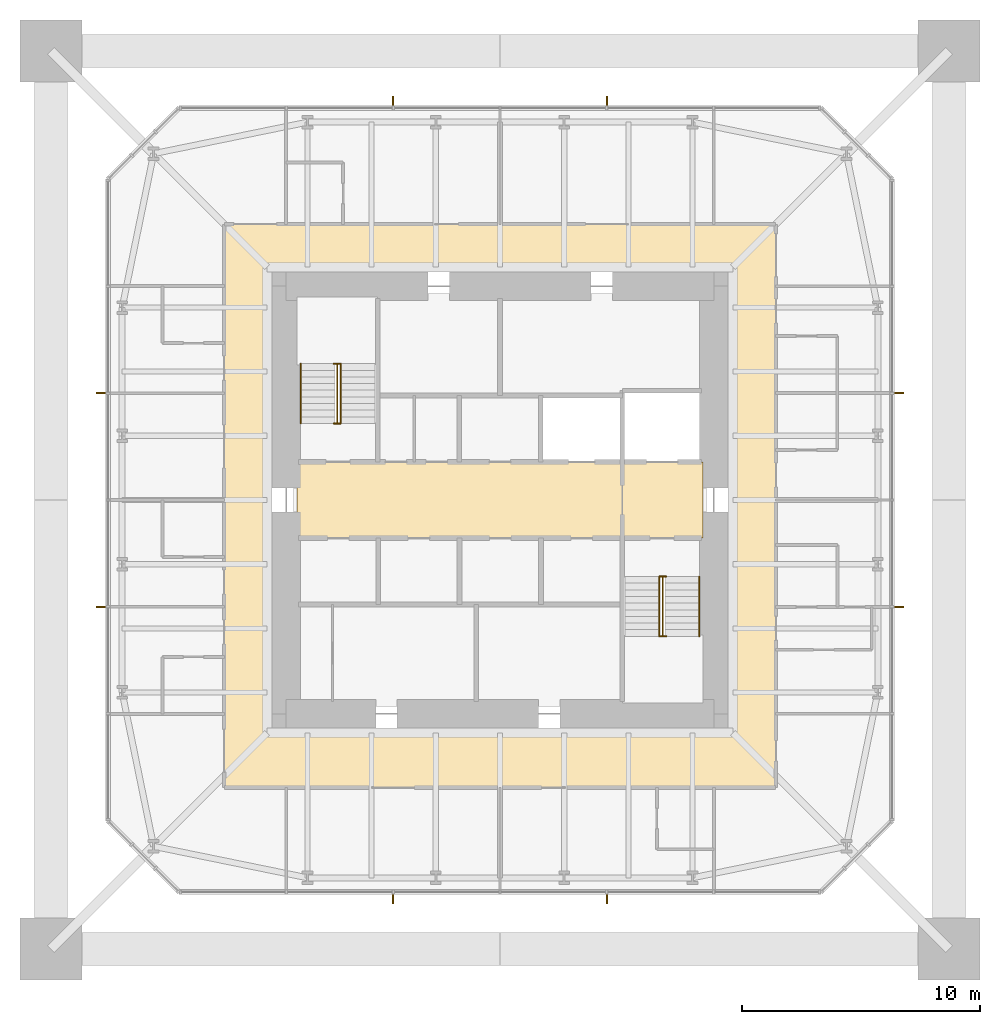
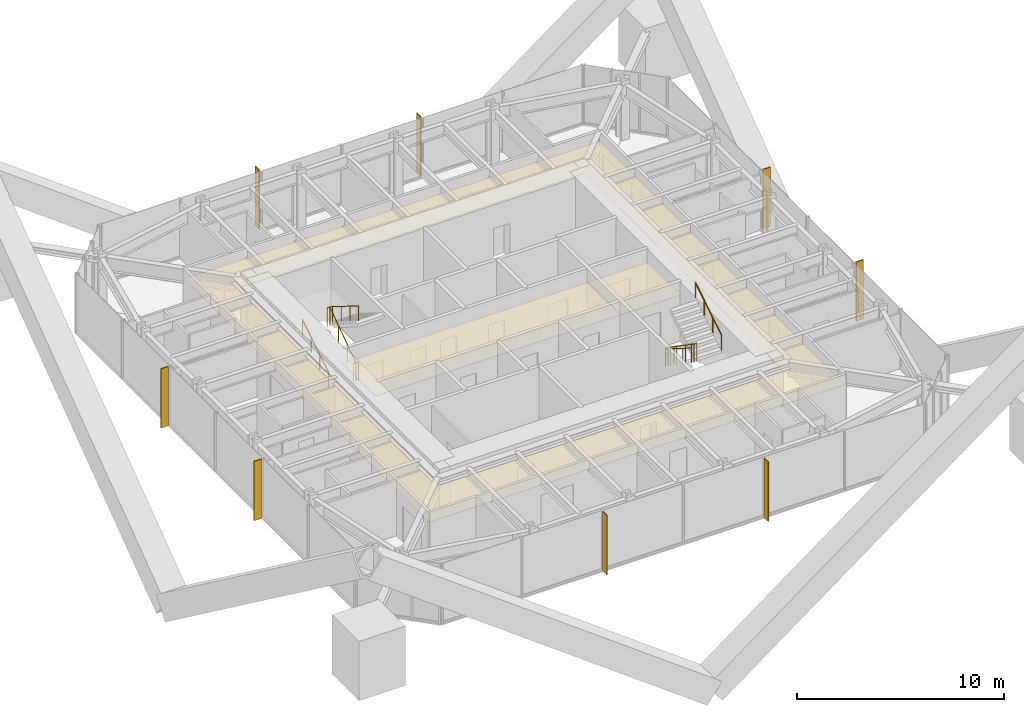
# One storey, part 10 of 10: 8 shading devices, 6 railings, 3 coverings.
"""IFC4 building model written with IfcOpenShell, lengths in metres."""

import ifcopenshell
import ifcopenshell.guid

model = None  # the IFC model being written
_history = None  # IfcOwnerHistory: only IFC2X3 demands one
_inside = {}  # id of a spatial element -> (the spatial element, [elements in it])
_under = {}  # id of a project, library or spatial element -> (it, [spatial elements below it])
_declared = {}  # id of a project -> (the project, [libraries it declares])
_typed = {}  # id of a type object -> (the type object, [elements of that type])
_made_of = {}  # id of a material, layer set ... -> (it, [elements and type objects made of it])


def new_model(schema):
    """Start an empty IFC model of exactly this schema.

    Asked for "IFC4X3", IfcOpenShell would pick the latest addendum, in which some entities
    have other attributes; the version numbers below select the first issue.
    IFC2X3 requires an IfcOwnerHistory on every rooted entity: one is made here for all.
    """
    global model, _history
    if schema == "IFC4X3":
        model = ifcopenshell.file(schema_version=(4, 3, 0, 0))
    else:
        model = ifcopenshell.file(schema=schema)
    _inside.clear()
    _under.clear()
    _declared.clear()
    _typed.clear()
    _made_of.clear()
    _history = None
    if model.schema == "IFC2X3":
        org = make("IfcOrganization", Name="unknown")
        user = make(
            "IfcPersonAndOrganization",
            ThePerson=make("IfcPerson", FamilyName="unknown"),
            TheOrganization=org,
        )
        app = make(
            "IfcApplication",
            ApplicationDeveloper=org,
            Version="unknown",
            ApplicationFullName="unknown",
            ApplicationIdentifier="unknown",
        )
        _history = make(
            "IfcOwnerHistory",
            OwningUser=user,
            OwningApplication=app,
            ChangeAction="ADDED",
            CreationDate=0,
        )
    return model


def make(cls, **values):
    """One entity of the class cls with the attributes given. An attribute that is None is left unset."""
    return model.create_entity(
        cls, **{name: value for name, value in values.items() if value is not None}
    )


def rooted(cls, **values):
    """An entity with a GlobalId (a new one), such as an element, a storey or a relation."""
    return make(cls, GlobalId=ifcopenshell.guid.new(), OwnerHistory=_history, **values)


def si_unit(unit_type, name, prefix=None):
    """IfcSIUnit, for example si_unit("LENGTHUNIT", "METRE", prefix="MILLI")."""
    return make("IfcSIUnit", UnitType=unit_type, Prefix=prefix, Name=name)


def assignment(units):
    """IfcUnitAssignment: the units of a project."""
    return None if units is None else make("IfcUnitAssignment", Units=units)


def point(xyz):
    """IfcCartesianPoint."""
    return None if xyz is None else make("IfcCartesianPoint", Coordinates=xyz)


def direction(xyz):
    """IfcDirection."""
    return None if xyz is None else make("IfcDirection", DirectionRatios=xyz)


def frame(location, z_axis=None, x_axis=None):
    """IfcAxis2Placement3D, a coordinate frame: its origin and axes. An axis left out is left unset."""
    return make(
        "IfcAxis2Placement3D",
        Location=point(location),
        Axis=direction(z_axis),
        RefDirection=direction(x_axis),
    )


def frame_2d(location, x_axis=None):
    """IfcAxis2Placement2D, a coordinate frame in the plane: its origin and x axis."""
    return make(
        "IfcAxis2Placement2D", Location=point(location), RefDirection=direction(x_axis)
    )


def origin():
    """The frame at (0, 0, 0) with its axes left unset."""
    return frame((0.0, 0.0, 0.0))


def origin_2d():
    """The frame at (0, 0) in the plane with its x axis left unset."""
    return frame_2d((0.0, 0.0))


def place(relative_to, where):
    """IfcLocalPlacement: puts the frame where relative to a parent placement (None: the world)."""
    return make(
        "IfcLocalPlacement", PlacementRelTo=relative_to, RelativePlacement=where
    )


def context(
    kind, dimensions, precision=None, world=None, true_north=None, identifier=None
):
    """IfcGeometricRepresentationContext, for example the 3D "Model" context."""
    return make(
        "IfcGeometricRepresentationContext",
        ContextIdentifier=identifier,
        ContextType=kind,
        CoordinateSpaceDimension=dimensions,
        Precision=precision,
        WorldCoordinateSystem=world,
        TrueNorth=true_north,
    )


def subcontext(parent, identifier, kind, view, scale=None):
    """IfcGeometricRepresentationSubContext, for example "Body" below "Model"."""
    return make(
        "IfcGeometricRepresentationSubContext",
        ContextIdentifier=identifier,
        ContextType=kind,
        ParentContext=parent,
        TargetScale=scale,
        TargetView=view,
    )


def project(units=None, contexts=None):
    """IfcProject with its units and contexts."""
    return rooted(
        "IfcProject",
        Name="project",
        RepresentationContexts=contexts,
        UnitsInContext=assignment(units),
    )


def spatial(cls, under=None, at=None, **own):
    """A site, building, storey or space (cls), placed at a placement, below another one or the project."""
    s = rooted(cls, ObjectPlacement=at, **own)
    if under is not None:
        _under.setdefault(under.id(), (under, []))[1].append(s)
    return s


def polyline(points):
    """IfcPolyline through the points."""
    return make("IfcPolyline", Points=[point(p) for p in points])


def profile(cls, at=None, kind="AREA", **sizes):
    """A parametric profile (cls). Its sizes go by their IFC names, for example OverallWidth=200.0."""
    return make(cls, ProfileType=kind, Position=at, **sizes)


def rectangle(**sizes):
    """IfcRectangleProfileDef."""
    return profile("IfcRectangleProfileDef", **sizes)


def circle(**sizes):
    """IfcCircleProfileDef."""
    return profile("IfcCircleProfileDef", **sizes)


def outline(outer, holes=None, kind="AREA"):
    """IfcArbitraryClosedProfileDef: a profile drawn as a closed curve; with holes, ...WithVoids."""
    if holes is None:
        return make("IfcArbitraryClosedProfileDef", ProfileType=kind, OuterCurve=outer)
    return make(
        "IfcArbitraryProfileDefWithVoids",
        ProfileType=kind,
        OuterCurve=outer,
        InnerCurves=holes,
    )


def extrude(swept, where, along, depth):
    """IfcExtrudedAreaSolid: the profile swept, set in the frame where, extruded along a direction by depth."""
    return make(
        "IfcExtrudedAreaSolid",
        SweptArea=swept,
        Position=where,
        ExtrudedDirection=direction(along),
        Depth=depth,
    )


def shape(context_of_items, identifier, shape_type, items):
    """IfcShapeRepresentation: the items that make up one representation, for example the "Body"."""
    return make(
        "IfcShapeRepresentation",
        ContextOfItems=context_of_items,
        RepresentationIdentifier=identifier,
        RepresentationType=shape_type,
        Items=items,
    )


def material(Name=None, Category=None):
    """IfcMaterial."""
    return make("IfcMaterial", Name=Name, Category=Category)


def layer(
    of_material, thickness, ventilated=None, Name=None, Category=None, Priority=None
):
    """IfcMaterialLayer: one layer of a wall or slab, of a material (None: an air gap)."""
    return make(
        "IfcMaterialLayer",
        Material=of_material,
        LayerThickness=thickness,
        IsVentilated=ventilated,
        Name=Name,
        Category=Category,
        Priority=Priority,
    )


def layer_set(layers, Name=None):
    """IfcMaterialLayerSet."""
    return make("IfcMaterialLayerSet", MaterialLayers=layers, LayerSetName=Name)


def constituent(of_material, Name=None, Category=None, fraction=None):
    """IfcMaterialConstituent: one of the materials an element consists of."""
    return make(
        "IfcMaterialConstituent",
        Name=Name,
        Material=of_material,
        Fraction=fraction,
        Category=Category,
    )


def constituent_set(constituents=None, Name=None):
    """IfcMaterialConstituentSet."""
    return make(
        "IfcMaterialConstituentSet", Name=Name, MaterialConstituents=constituents
    )


def made_of(thing, what):
    """Note that an element or type object is made of a material, layer set ...; save() writes the relation."""
    if what is not None:
        _made_of.setdefault(what.id(), (what, []))[1].append(thing)
    return thing


def type_object(cls, material=None, **own):
    """A type object (cls), such as IfcWallType, which elements share."""
    return made_of(rooted(cls, **own), material)


def element(
    cls,
    number,
    at=None,
    inside=None,
    cuts=None,
    type_object=None,
    material=None,
    context=None,
    identifier="Body",
    shape_type=None,
    held_by="IfcProductDefinitionShape",
    body=None,
    shapes=None,
    **own,
):
    """One element of the class cls, such as IfcWall. Its Tag is "e" and its number.

    at: its placement. inside: the storey or other place that contains it. cuts: it is an
    opening in that element (IfcRelVoidsElement). A single representation is given by context,
    identifier, shape_type and body (its items); several are given by shapes. held_by: the class
    of the entity that holds the representations. save() writes the other relations.
    """
    e = rooted(cls, Tag="e%d" % number, ObjectPlacement=at, **own)
    if body is not None:
        shapes = [shape(context, identifier, shape_type, body)]
    if shapes is not None:
        e.Representation = make(held_by, Representations=shapes)
    if inside is not None:
        _inside.setdefault(inside.id(), (inside, []))[1].append(e)
    if cuts is not None:
        rooted(
            "IfcRelVoidsElement", RelatingBuildingElement=cuts, RelatedOpeningElement=e
        )
    if type_object is not None:
        _typed.setdefault(type_object.id(), (type_object, []))[1].append(e)
    return made_of(e, material)


def aggregate(whole, parts):
    """IfcRelAggregates: a whole, such as a stair, and the parts it consists of."""
    return rooted("IfcRelAggregates", RelatingObject=whole, RelatedObjects=parts)


def save(model, path):
    """Write the relations noted so far, then the file.

    IfcRelAggregates (storeys below a building ...), IfcRelContainedInSpatialStructure (elements
    in a storey), IfcRelDefinesByType, IfcRelAssociatesMaterial and IfcRelDeclares: one each for
    every whole, place, type object, material and project.
    """
    for whole, parts in _under.values():
        aggregate(whole, parts)
    for where, things in _inside.values():
        rooted(
            "IfcRelContainedInSpatialStructure",
            RelatedElements=things,
            RelatingStructure=where,
        )
    for kind, things in _typed.values():
        rooted("IfcRelDefinesByType", RelatedObjects=things, RelatingType=kind)
    for what, things in _made_of.values():
        rooted("IfcRelAssociatesMaterial", RelatedObjects=things, RelatingMaterial=what)
    for by, libraries in _declared.values():
        rooted("IfcRelDeclares", RelatingContext=by, RelatedDefinitions=libraries)
    model.write(path)


model = new_model("IFC4")

# Units and contexts
model_context = context("Model", 3, precision=1e-05, world=origin(), true_north=direction((0.0, 1.0)))
body_context = subcontext(model_context, "Body", "Model", "MODEL_VIEW")
ifc_project = project(units=[si_unit("LENGTHUNIT", "METRE"), si_unit("AREAUNIT", "SQUARE_METRE"), si_unit("VOLUMEUNIT", "CUBIC_METRE"), si_unit("PLANEANGLEUNIT", "RADIAN"), si_unit("MASSUNIT", "GRAM", prefix="KILO")], contexts=[model_context])

# Site, building, storey
site_placement = place(None, origin())
site = spatial("IfcSite", under=ifc_project, at=site_placement, CompositionType="ELEMENT")
building_placement = place(site_placement, origin())
building = spatial("IfcBuilding", under=site, at=building_placement, Name="Iwan Alto Co-Living Towers", CompositionType="ELEMENT")
storey_placement = place(building_placement, frame((0.0, 0.0, 260.5)))
storey = spatial("IfcBuildingStorey", under=building, at=storey_placement, Name="L71", CompositionType="ELEMENT", Elevation=260.5)

# Coverings
ifc_material_1 = material(Name="Mineral fibre acoustic tiles on steel grid", Category="steel")
ifc_layer_1 = layer(ifc_material_1, 0.02001953125)
ifc_layer_set_1 = layer_set([ifc_layer_1], Name="ACOUSTIC TILE CEILING 20")
covering_type_1 = type_object("IfcCoveringType", Name="ACOUSTIC TILE CEILING 20", PredefinedType="CEILING", material=ifc_layer_set_1)
covering_1_placement = place(storey_placement, frame((0.0, 0.0, 2.60009765625)))
element("IfcCovering", 1, at=covering_1_placement, inside=storey, type_object=covering_type_1, Name="Ceiling Lift lobby L71", PredefinedType="CEILING", context=body_context, shape_type="SweptSolid", body=[
    extrude(outline(polyline([(-8.550048828125, -1.60009765625), (-8.550048828125, 1.60009765625), (5.14990234375, 1.60009765625), (5.14990234375, -1.60009765625), (-8.550048828125, -1.60009765625)])), origin(), (0.0, 0.0, 1.0), 0.02001953125),
])
covering_2_placement = place(storey_placement, frame((0.0, 0.0, 2.60009765625)))
element("IfcCovering", 2, at=covering_2_placement, inside=storey, type_object=covering_type_1, Name="Ceiling Firefighting lobby L71", PredefinedType="CEILING", context=body_context, shape_type="SweptSolid", body=[
    extrude(outline(polyline([(5.14990234375, -1.60009765625), (5.14990234375, 1.60009765625), (8.550048828125, 1.60009765625), (8.550048828125, -1.60009765625), (5.14990234375, -1.60009765625)])), origin(), (0.0, 0.0, 1.0), 0.02001953125),
])

# Shading devices
ifc_material_2 = material(Name="Aluminium 6063-T6 bronze anodised", Category="aluminium")
ifc_layer_2 = layer(ifc_material_2, 0.050048828125)
ifc_layer_set_2 = layer_set([ifc_layer_2], Name="BRONZE FIN 50X400")
shading_device_type = type_object("IfcShadingDeviceType", Name="BRONZE FIN 50X400", PredefinedType="USERDEFINED", material=ifc_layer_set_2)
for number, where, z_axis, x_axis, name in (
    (3, (-4.5, -16.800048828125, 0.0), (0.0, 0.0, 1.0), (1.0, 0.0, 0.0), "Bronze fin L71"),
    (4, (4.5, -16.800048828125, 0.0), (0.0, 0.0, 1.0), (1.0, 0.0, 0.0), "Bronze fin L71"),
    (5, (16.800048828125, -4.5, 0.0), (0.0, 0.0, 1.0), (0.0, 1.0, 0.0), "Bronze fin L71"),
    (6, (16.800048828125, 4.5, 0.0), (0.0, 0.0, 1.0), (0.0, 1.0, 0.0), "Bronze fin L71"),
    (7, (4.5, 16.800048828125, 0.0), (0.0, 0.0, 1.0), (-1.0, 0.0, 0.0), "Bronze fin L71"),
    (8, (-4.5, 16.800048828125, 0.0), (0.0, 0.0, 1.0), (-1.0, 0.0, 0.0), "Bronze fin L71"),
    (9, (-16.800048828125, 4.5, 0.0), (0.0, 0.0, 1.0), (0.0, -1.0, 0.0), "Bronze fin L71"),
    (10, (-16.800048828125, -4.5, 0.0), (0.0, 0.0, 1.0), (0.0, -1.0, 0.0), "Bronze fin L71"),
):
    element("IfcShadingDevice", number, at=place(storey_placement, frame(where, z_axis=z_axis, x_axis=x_axis)), inside=storey, type_object=shading_device_type, Name=name, ObjectType="LOUVER", PredefinedType="USERDEFINED", context=body_context, shape_type="SweptSolid", body=[
        extrude(rectangle(XDim=0.050048828125, YDim=0.39990234375, at=origin_2d()), origin(), (0.0, 0.0, 1.0), 3.5),
    ])

# Railings
ifc_material_3 = material(Name="Steel ASTM A500 Gr C", Category="steel")
ifc_constituent_1 = constituent(ifc_material_3, Name="Rails and posts", Category="Framing")
ifc_material_4 = material(Name="Steel ASTM A36", Category="steel")
ifc_constituent_2 = constituent(ifc_material_4, Name="Bar infill", Category="Infill")
ifc_constituent_set = constituent_set(constituents=[ifc_constituent_1, ifc_constituent_2], Name="STAIR GUARD 1100")
railing_type_1 = type_object("IfcRailingType", Name="STAIR GUARD 1100", PredefinedType="GUARDRAIL", material=ifc_constituent_set)
railing_1_placement = place(storey_placement, frame((-6.85009765625, 3.219970703125, 0.0)))
element("IfcRailing", 11, at=railing_1_placement, inside=storey, type_object=railing_type_1, Name="Stair T1-S1 well guard L71", PredefinedType="GUARDRAIL", context=body_context, shape_type="SweptSolid", body=[
    extrude(circle(Radius=0.02392578125, at=origin_2d()), frame((0.0, 0.0, 1.076171875), z_axis=(0.0, 0.821372036852, 0.570392826987), x_axis=(-1.0, 0.0, 0.0)), (0.0, 0.0, 1.0), 3.068115234375),
    extrude(circle(Radius=0.02392578125, at=origin_2d()), frame((-0.14990234375, 0.0, 1.076171875), z_axis=(1.0, 0.0, 0.0), x_axis=(0.0, 1.0, 0.0)), (0.0, 0.0, 1.0), 0.300048828125),
    extrude(circle(Radius=0.02392578125, at=origin_2d()), frame((-0.14990234375, 2.52001953125, 2.826171875), z_axis=(1.0, 0.0, 0.0), x_axis=(0.0, 1.0, 0.0)), (0.0, 0.0, 1.0), 0.300048828125),
    extrude(circle(Radius=0.02099609375, at=origin_2d()), origin(), (0.0, 0.0, 1.0), 1.052001953125),
    extrude(circle(Radius=0.02099609375, at=origin_2d()), frame((0.0, 0.840087890625, 0.583251953125)), (0.0, 0.0, 1.0), 1.052001953125),
    extrude(circle(Radius=0.02099609375, at=origin_2d()), frame((0.0, 1.679931640625, 1.166748046875)), (0.0, 0.0, 1.0), 1.052001953125),
    extrude(circle(Radius=0.02099609375, at=origin_2d()), frame((0.0, 2.52001953125, 1.75)), (0.0, 0.0, 1.0), 1.052001953125),
    extrude(circle(Radius=0.02099609375, at=origin_2d()), frame((-0.14990234375, 0.0, 0.0)), (0.0, 0.0, 1.0), 1.052001953125),
    extrude(circle(Radius=0.02099609375, at=origin_2d()), frame((0.150146484375, 0.0, 0.0)), (0.0, 0.0, 1.0), 1.052001953125),
    extrude(circle(Radius=0.02099609375, at=origin_2d()), frame((-0.14990234375, 2.52001953125, 1.75)), (0.0, 0.0, 1.0), 1.052001953125),
    extrude(circle(Radius=0.02099609375, at=origin_2d()), frame((0.150146484375, 2.52001953125, 1.75)), (0.0, 0.0, 1.0), 1.052001953125),
])
railing_2_placement = place(storey_placement, frame((6.85009765625, -3.219970703125, 0.0)))
element("IfcRailing", 12, at=railing_2_placement, inside=storey, type_object=railing_type_1, Name="Stair T1-S2 well guard L71", PredefinedType="GUARDRAIL", context=body_context, shape_type="SweptSolid", body=[
    extrude(circle(Radius=0.02392578125, at=origin_2d()), frame((0.0, 0.0, 1.076171875), z_axis=(0.0, -0.821372036852, 0.570392826987), x_axis=(1.0, 0.0, 0.0)), (0.0, 0.0, 1.0), 3.068115234375),
    extrude(circle(Radius=0.02392578125, at=origin_2d()), frame((-0.150146484375, 0.0, 1.076171875), z_axis=(1.0, 0.0, 0.0), x_axis=(0.0, 1.0, 0.0)), (0.0, 0.0, 1.0), 0.300048828125),
    extrude(circle(Radius=0.02392578125, at=origin_2d()), frame((-0.150146484375, -2.52001953125, 2.826171875), z_axis=(1.0, 0.0, 0.0), x_axis=(0.0, 1.0, 0.0)), (0.0, 0.0, 1.0), 0.300048828125),
    extrude(circle(Radius=0.02099609375, at=origin_2d()), origin(), (0.0, 0.0, 1.0), 1.052001953125),
    extrude(circle(Radius=0.02099609375, at=origin_2d()), frame((0.0, -0.840087890625, 0.583251953125)), (0.0, 0.0, 1.0), 1.052001953125),
    extrude(circle(Radius=0.02099609375, at=origin_2d()), frame((0.0, -1.679931640625, 1.166748046875)), (0.0, 0.0, 1.0), 1.052001953125),
    extrude(circle(Radius=0.02099609375, at=origin_2d()), frame((0.0, -2.52001953125, 1.75)), (0.0, 0.0, 1.0), 1.052001953125),
    extrude(circle(Radius=0.02099609375, at=origin_2d()), frame((-0.150146484375, 0.0, 0.0)), (0.0, 0.0, 1.0), 1.052001953125),
    extrude(circle(Radius=0.02099609375, at=origin_2d()), frame((0.14990234375, 0.0, 0.0)), (0.0, 0.0, 1.0), 1.052001953125),
    extrude(circle(Radius=0.02099609375, at=origin_2d()), frame((-0.150146484375, -2.52001953125, 1.75)), (0.0, 0.0, 1.0), 1.052001953125),
    extrude(circle(Radius=0.02099609375, at=origin_2d()), frame((0.14990234375, -2.52001953125, 1.75)), (0.0, 0.0, 1.0), 1.052001953125),
])
ifc_material_5 = material(Name="Steel ASTM A500 Gr C", Category="steel")
railing_type_2 = type_object("IfcRailingType", Name="STAIR HANDRAIL 900", PredefinedType="HANDRAIL", material=ifc_material_5)
railing_3_placement = place(storey_placement, frame((-8.3798828125, 3.219970703125, 0.175048828125)))
element("IfcRailing", 13, at=railing_3_placement, inside=storey, type_object=railing_type_2, Name="Stair T1-S1 handrail 1 L71", PredefinedType="HANDRAIL", context=body_context, shape_type="SweptSolid", body=[
    extrude(circle(Radius=0.02392578125, at=origin_2d()), frame((0.0, 0.0, 0.8759765625), z_axis=(0.0, 0.848007534815, 0.529984170421), x_axis=(-1.0, 0.0, 0.0)), (0.0, 0.0, 1.0), 2.9716796875),
    extrude(circle(Radius=0.02099609375, at=origin_2d()), origin(), (0.0, 0.0, 1.0), 0.851806640625),
    extrude(circle(Radius=0.02099609375, at=origin_2d()), frame((0.0, 0.840087890625, 0.52490234375)), (0.0, 0.0, 1.0), 0.851806640625),
    extrude(circle(Radius=0.02099609375, at=origin_2d()), frame((0.0, 1.679931640625, 1.050048828125)), (0.0, 0.0, 1.0), 0.851806640625),
    extrude(circle(Radius=0.02099609375, at=origin_2d()), frame((0.0, 2.52001953125, 1.574951171875)), (0.0, 0.0, 1.0), 0.851806640625),
])
for number, where, name in (
    (14, (-6.699951171875, 5.739990234375, 1.925048828125), "Stair T1-S1 handrail 2 L71"),
    (15, (6.699951171875, -3.219970703125, 0.175048828125), "Stair T1-S2 handrail 1 L71"),
):
    element("IfcRailing", number, at=place(storey_placement, frame(where)), inside=storey, type_object=railing_type_2, Name=name, PredefinedType="HANDRAIL", context=body_context, shape_type="SweptSolid", body=[
        extrude(circle(Radius=0.02392578125, at=origin_2d()), frame((0.0, 0.0, 0.8759765625), z_axis=(0.0, -0.848007534815, 0.529984170421), x_axis=(1.0, 0.0, 0.0)), (0.0, 0.0, 1.0), 2.9716796875),
        extrude(circle(Radius=0.02099609375, at=origin_2d()), origin(), (0.0, 0.0, 1.0), 0.851806640625),
        extrude(circle(Radius=0.02099609375, at=origin_2d()), frame((0.0, -0.840087890625, 0.52490234375)), (0.0, 0.0, 1.0), 0.851806640625),
        extrude(circle(Radius=0.02099609375, at=origin_2d()), frame((0.0, -1.679931640625, 1.050048828125)), (0.0, 0.0, 1.0), 0.851806640625),
        extrude(circle(Radius=0.02099609375, at=origin_2d()), frame((0.0, -2.52001953125, 1.574951171875)), (0.0, 0.0, 1.0), 0.851806640625),
    ])
railing_4_placement = place(storey_placement, frame((8.3798828125, -5.739990234375, 1.925048828125)))
element("IfcRailing", 16, at=railing_4_placement, inside=storey, type_object=railing_type_2, Name="Stair T1-S2 handrail 2 L71", PredefinedType="HANDRAIL", context=body_context, shape_type="SweptSolid", body=[
    extrude(circle(Radius=0.02392578125, at=origin_2d()), frame((0.0, 0.0, 0.8759765625), z_axis=(0.0, 0.848007534815, 0.529984170421), x_axis=(-1.0, 0.0, 0.0)), (0.0, 0.0, 1.0), 2.9716796875),
    extrude(circle(Radius=0.02099609375, at=origin_2d()), origin(), (0.0, 0.0, 1.0), 0.851806640625),
    extrude(circle(Radius=0.02099609375, at=origin_2d()), frame((0.0, 0.840087890625, 0.52490234375)), (0.0, 0.0, 1.0), 0.851806640625),
    extrude(circle(Radius=0.02099609375, at=origin_2d()), frame((0.0, 1.679931640625, 1.050048828125)), (0.0, 0.0, 1.0), 0.851806640625),
    extrude(circle(Radius=0.02099609375, at=origin_2d()), frame((0.0, 2.52001953125, 1.574951171875)), (0.0, 0.0, 1.0), 0.851806640625),
])

# Covering
ifc_material_6 = material(Name="Gypsum plasterboard on steel grid", Category="steel")
ifc_layer_3 = layer(ifc_material_6, 0.014892578125)
ifc_layer_set_3 = layer_set([ifc_layer_3], Name="SUSPENDED PLASTERBOARD CEILING 15")
covering_type_2 = type_object("IfcCoveringType", Name="SUSPENDED PLASTERBOARD CEILING 15", PredefinedType="CEILING", material=ifc_layer_set_3)
covering_3_placement = place(storey_placement, frame((0.0, 0.0, 2.60009765625)))
element("IfcCovering", 17, at=covering_3_placement, inside=storey, type_object=covering_type_2, Name="Ceiling Corridor L71", PredefinedType="CEILING", context=body_context, shape_type="SweptSolid", body=[
    extrude(outline(polyline([(-11.60009765625, 11.60009765625), (11.60009765625, 11.60009765625), (11.60009765625, -12.10009765625), (-11.60009765625, -12.10009765625), (-11.60009765625, 11.60009765625)]), holes=[polyline([(-9.60009765625, 9.60009765625), (-9.60009765625, -9.60009765625), (9.60009765625, -9.60009765625), (9.60009765625, 9.60009765625), (-9.60009765625, 9.60009765625)])]), origin(), (0.0, 0.0, 1.0), 0.014892578125),
])

save(model, "model.ifc")
